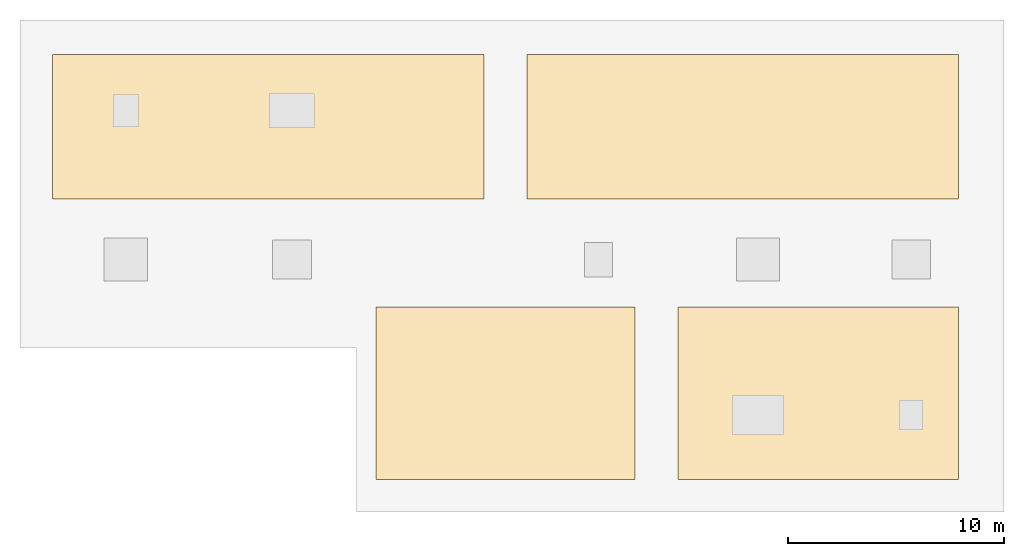
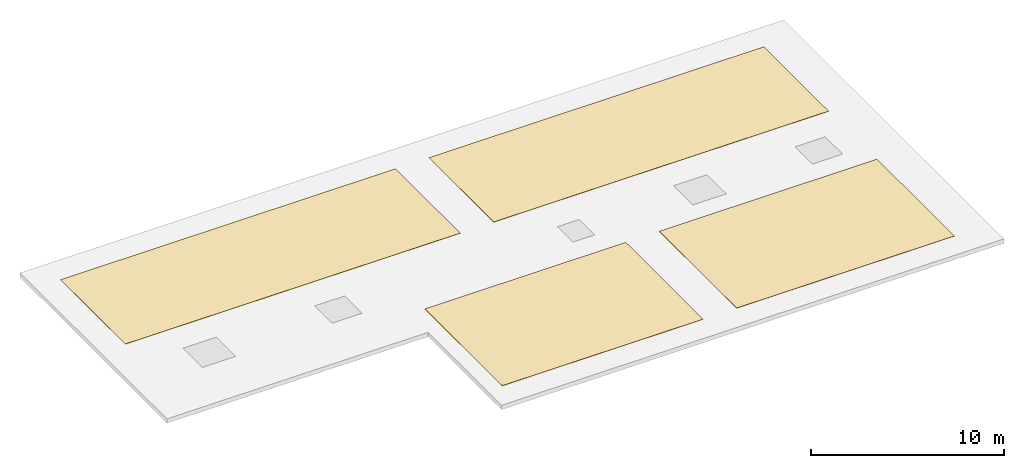
# One storey, part 2 of 2: 4 coverings.
"""IFC4 building model written with IfcOpenShell, lengths in metres."""

from ifc_helpers import new_model, si_unit, direction, frame, origin, place, context, subcontext, project, spatial, polyline, outline, extrude, material, layer, layer_set, type_object, element, save


model = new_model("IFC4")

# Units and contexts
model_context = context("Model", 3, precision=1e-05, world=origin(), true_north=direction((0.0, 1.0)))
body_context = subcontext(model_context, "Body", "Model", "MODEL_VIEW")
ifc_project = project(units=[si_unit("LENGTHUNIT", "METRE"), si_unit("AREAUNIT", "SQUARE_METRE"), si_unit("VOLUMEUNIT", "CUBIC_METRE"), si_unit("PLANEANGLEUNIT", "RADIAN"), si_unit("MASSUNIT", "GRAM", prefix="KILO")], contexts=[model_context])

# Site, building, storey
site_placement = place(None, origin())
site = spatial("IfcSite", under=ifc_project, at=site_placement, CompositionType="ELEMENT")
building_placement = place(site_placement, origin())
building = spatial("IfcBuilding", under=site, at=building_placement, Name="Valcora Specialist Clinic", CompositionType="ELEMENT")
storey_placement = place(building_placement, frame((0.0, 0.0, 25.840087890625)))
storey = spatial("IfcBuildingStorey", under=building, at=storey_placement, Name="ROOF", CompositionType="ELEMENT", Elevation=25.840087890625)

# Coverings
ifc_material = material(Name="Modified Bitumen and TPO Roofing Membrane")
ifc_layer = layer(ifc_material, 0.014892578125)
ifc_layer_set = layer_set([ifc_layer], Name="Modified Bitumen and TPO Roofing Membrane")
covering_type = type_object("IfcCoveringType", Name="TY-CV-RFG015", PredefinedType="ROOFING", material=ifc_layer_set)
covering_1_placement = place(storey_placement, origin())
element("IfcCovering", 1, at=covering_1_placement, inside=storey, type_object=covering_type, Name="Roof waterproofing membrane 1", PredefinedType="ROOFING", context=body_context, shape_type="SweptSolid", body=[
    extrude(outline(polyline([(16.5, 1.5), (28.5, 1.5), (28.5, 9.5), (16.5, 9.5), (16.5, 1.5)])), origin(), (0.0, 0.0, 1.0), 0.014892578125),
])
covering_2_placement = place(storey_placement, origin())
element("IfcCovering", 2, at=covering_2_placement, inside=storey, type_object=covering_type, Name="Roof waterproofing membrane 2", PredefinedType="ROOFING", context=body_context, shape_type="SweptSolid", body=[
    extrude(outline(polyline([(30.5, 1.5), (43.5, 1.5), (43.5, 9.5), (30.5, 9.5), (30.5, 1.5)])), origin(), (0.0, 0.0, 1.0), 0.014892578125),
])
covering_3_placement = place(storey_placement, origin())
element("IfcCovering", 3, at=covering_3_placement, inside=storey, type_object=covering_type, Name="Roof waterproofing membrane 3", PredefinedType="ROOFING", context=body_context, shape_type="SweptSolid", body=[
    extrude(outline(polyline([(1.5, 14.5), (21.5, 14.5), (21.5, 21.199951171875), (1.5, 21.199951171875), (1.5, 14.5)])), origin(), (0.0, 0.0, 1.0), 0.014892578125),
])
covering_4_placement = place(storey_placement, origin())
element("IfcCovering", 4, at=covering_4_placement, inside=storey, type_object=covering_type, Name="Roof waterproofing membrane 4", PredefinedType="ROOFING", context=body_context, shape_type="SweptSolid", body=[
    extrude(outline(polyline([(23.5, 14.5), (43.5, 14.5), (43.5, 21.199951171875), (23.5, 21.199951171875), (23.5, 14.5)])), origin(), (0.0, 0.0, 1.0), 0.014892578125),
])

save(model, "model.ifc")
